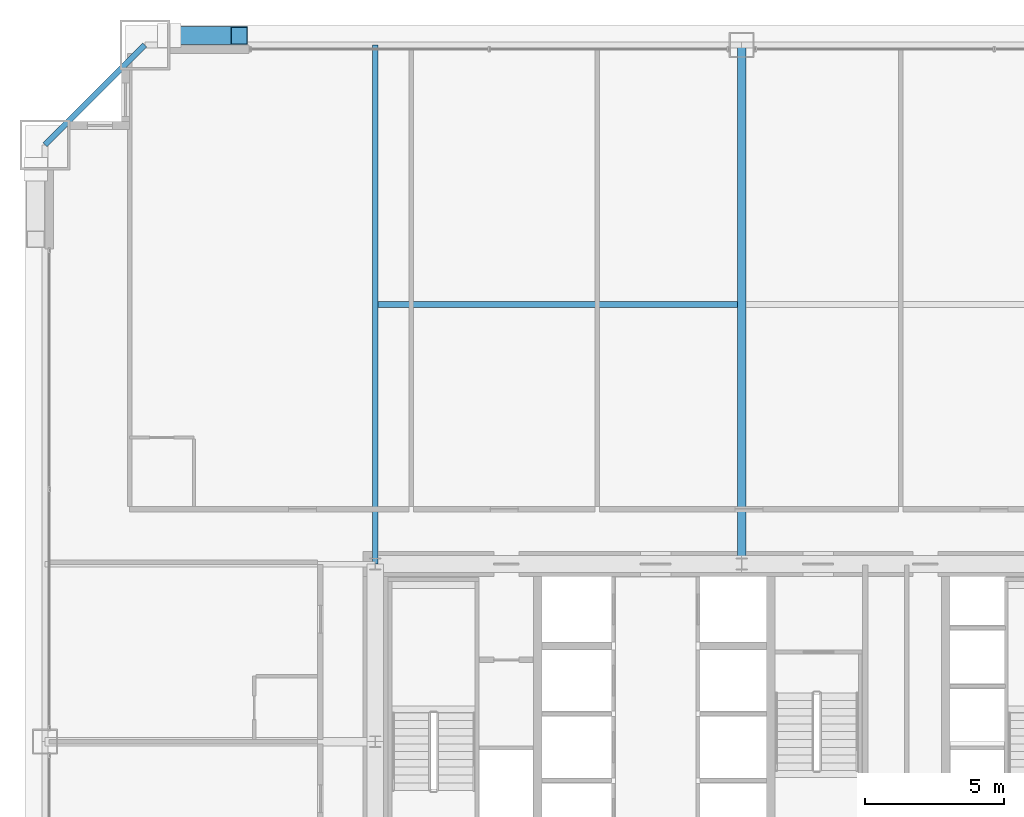
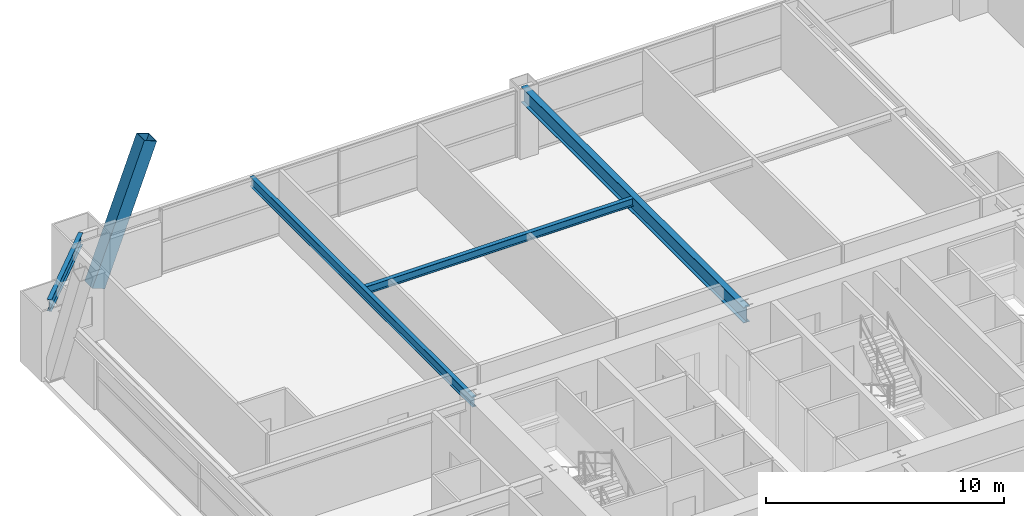
# One storey, part 25 of 43: 4 beams, 1 member.
"""IFC4 building model written with IfcOpenShell, lengths in metres."""

from ifc_helpers import new_model, si_unit, direction, frame, origin, origin_2d, place, context, subcontext, project, spatial, hollow_rectangle, i_section, extrude, source, transform, mapped, material, material_profile, profile_set, type_object, element, save


model = new_model("IFC4")

# Units and contexts
model_context = context("Model", 3, precision=1e-05, world=origin(), true_north=direction((0.0, 1.0)))
body_context = subcontext(model_context, "Body", "Model", "MODEL_VIEW")
ifc_project = project(units=[si_unit("LENGTHUNIT", "METRE"), si_unit("AREAUNIT", "SQUARE_METRE"), si_unit("VOLUMEUNIT", "CUBIC_METRE"), si_unit("PLANEANGLEUNIT", "RADIAN"), si_unit("MASSUNIT", "GRAM", prefix="KILO"), si_unit("THERMODYNAMICTEMPERATUREUNIT", "KELVIN"), si_unit("POWERUNIT", "WATT")], contexts=[model_context])

# Site, building, storey
site_placement = place(None, origin())
site = spatial("IfcSite", under=ifc_project, at=site_placement, CompositionType="ELEMENT")
building_placement = place(site_placement, origin())
building = spatial("IfcBuilding", under=site, at=building_placement, Name="Yuzanri Waterfront Tower", CompositionType="ELEMENT")
storey_placement = place(building_placement, frame((0.0, 0.0, 60.39990234375)))
storey = spatial("IfcBuildingStorey", under=building, at=storey_placement, Name="L15", CompositionType="ELEMENT", Elevation=60.39990234375)

# Beams
ifc_material_1 = material(Name="Steel Q355B", Category="steel")
ifc_material_profile_1 = material_profile(ifc_material_1, i_section(OverallWidth=0.199951171875, OverallDepth=0.60009765625, WebThickness=0.010986328125, FlangeThickness=0.01708984375, at=origin_2d()), Name="HN 600x200x11x17")
ifc_profile_set_1 = profile_set([ifc_material_profile_1], Name="Steel Q355B")
beam_type_1 = type_object("IfcBeamType", Name="Perimeter Spandrel Q355B HN 600x200", PredefinedType="SPANDREL", material=ifc_profile_set_1)
shared_shape_1 = source(origin(), body_context, "Body", "SweptSolid", [
    extrude(i_section(OverallWidth=0.199951171875, OverallDepth=0.60009765625, WebThickness=0.010986328125, FlangeThickness=0.01708984375, at=origin_2d()), origin(), (0.0, 0.0, 1.0), 5.091064453125),
])
beam_1_placement = place(storey_placement, frame((15.5, 50.89990234375, 3.080078125), z_axis=(-0.707130757816, -0.707082803744, 0.0), x_axis=(0.707082803744, -0.707130757816, 0.0)))
element("IfcBeam", 1, at=beam_1_placement, inside=storey, type_object=beam_type_1, Name="L15 Perimeter Spandrel N1-W3", PredefinedType="SPANDREL", context=body_context, shape_type="MappedRepresentation", body=[
    mapped(shared_shape_1, transform((0.0, 0.0, 0.0), scale=1.0)),
])
ifc_material_2 = material(Name="Steel Q355B", Category="steel")
ifc_material_profile_2 = material_profile(ifc_material_2, i_section(OverallWidth=0.300048828125, OverallDepth=0.800048828125, WebThickness=0.013916015625, FlangeThickness=0.02587890625, at=origin_2d()), Name="HN 800x300x14x26")
ifc_profile_set_2 = profile_set([ifc_material_profile_2], Name="Steel Q355B")
beam_type_2 = type_object("IfcBeamType", Name="Primary Floor Girder Q355B HN 800x300", PredefinedType="BEAM", material=ifc_profile_set_2)
shared_shape_2 = source(origin(), body_context, "Body", "SweptSolid", [
    extrude(i_section(OverallWidth=0.300048828125, OverallDepth=0.800048828125, WebThickness=0.013916015625, FlangeThickness=0.02587890625, at=origin_2d()), origin(), (0.0, 0.0, 1.0), 18.699951171875),
])
beam_2_placement = place(storey_placement, frame((37.0, 32.199951171875, 2.97998046875), z_axis=(0.0, 1.0, 0.0), x_axis=(-1.0, 0.0, 0.0)))
element("IfcBeam", 2, at=beam_2_placement, inside=storey, type_object=beam_type_2, Name="L15 North Grid Girder", PredefinedType="BEAM", context=body_context, shape_type="MappedRepresentation", body=[
    mapped(shared_shape_2, transform((0.0, 0.0, 0.0), scale=1.0)),
])
ifc_material_3 = material(Name="Steel Q355B", Category="steel")
ifc_material_profile_3 = material_profile(ifc_material_3, i_section(OverallWidth=0.199951171875, OverallDepth=0.5, WebThickness=0.010009765625, FlangeThickness=0.01611328125, at=origin_2d()), Name="HN 500x200x10x16")
ifc_profile_set_3 = profile_set([ifc_material_profile_3], Name="Steel Q355B")
beam_type_3 = type_object("IfcBeamType", Name="Secondary Floor Beam Q355B HN 500x200", PredefinedType="BEAM", material=ifc_profile_set_3)
shared_shape_3 = source(origin(), body_context, "Body", "SweptSolid", [
    extrude(i_section(OverallWidth=0.199951171875, OverallDepth=0.5, WebThickness=0.010009765625, FlangeThickness=0.01611328125, at=origin_2d()), origin(), (0.0, 0.0, 1.0), 18.699951171875),
])
beam_3_placement = place(storey_placement, frame((23.800048828125, 32.199951171875, 3.130126953125), z_axis=(0.0, 1.0, 0.0), x_axis=(-1.0, 0.0, 0.0)))
element("IfcBeam", 3, at=beam_3_placement, inside=storey, type_object=beam_type_3, Name="L15 North-West Core Line Beam", PredefinedType="BEAM", context=body_context, shape_type="MappedRepresentation", body=[
    mapped(shared_shape_3, transform((0.0, 0.0, 0.0), scale=1.0)),
])
ifc_material_4 = material(Name="Steel Q355B", Category="steel")
ifc_material_profile_4 = material_profile(ifc_material_4, i_section(OverallWidth=0.199951171875, OverallDepth=0.39990234375, WebThickness=0.008056640625, FlangeThickness=0.012939453125, at=origin_2d()), Name="HN 400x200x8x13")
ifc_profile_set_4 = profile_set([ifc_material_profile_4], Name="Steel Q355B")
beam_type_4 = type_object("IfcBeamType", Name="Floor Joist Q355B HN 400x200", PredefinedType="JOIST", material=ifc_profile_set_4)
shared_shape_4 = source(origin(), body_context, "Body", "SweptSolid", [
    extrude(i_section(OverallWidth=0.199951171875, OverallDepth=0.39990234375, WebThickness=0.008056640625, FlangeThickness=0.012939453125, at=origin_2d()), origin(), (0.0, 0.0, 1.0), 12.9501953125),
])
beam_4_placement = place(storey_placement, frame((23.89990234375, 41.550048828125, 3.18017578125), z_axis=(1.0, 0.0, 0.0), x_axis=(0.0, 1.0, 0.0)))
element("IfcBeam", 4, at=beam_4_placement, inside=storey, type_object=beam_type_4, Name="L15 North Bay Joist W", PredefinedType="JOIST", context=body_context, shape_type="MappedRepresentation", body=[
    mapped(shared_shape_4, transform((0.0, 0.0, 0.0), scale=1.0)),
])

# Member
ifc_material_5 = material(Name="Steel Q420GJC", Category="steel")
ifc_material_profile_5 = material_profile(ifc_material_5, hollow_rectangle(XDim=0.64990234375, YDim=0.64990234375, WallThickness=0.028076171875, at=origin_2d()), Name="RHS 650x650x28")
ifc_profile_set_5 = profile_set([ifc_material_profile_5], Name="Steel Q420GJC")
member_type = type_object("IfcMemberType", Name="Mega Brace Lower Q420GJC RHS 650x650x28", PredefinedType="BRACE", material=ifc_profile_set_5)
shared_shape_5 = source(origin(), body_context, "Body", "SweptSolid", [
    extrude(hollow_rectangle(XDim=0.64990234375, YDim=0.64990234375, WallThickness=0.028076171875, at=origin_2d()), origin(), (0.0, 0.0, 1.0), 7.158203125),
])
member_placement = place(storey_placement, frame((16.3798828125, 51.239990234375, 0.18017578125), z_axis=(0.352046480343, 0.0, 0.935982518896), x_axis=(0.0, 1.0, 0.0)))
element("IfcMember", 5, at=member_placement, inside=storey, type_object=member_type, Name="L15-L16 Perimeter Mega-Brace N-L", PredefinedType="BRACE", context=body_context, shape_type="MappedRepresentation", body=[
    mapped(shared_shape_5, transform((0.0, 0.0, 0.0), scale=1.0)),
])

save(model, "model.ifc")
